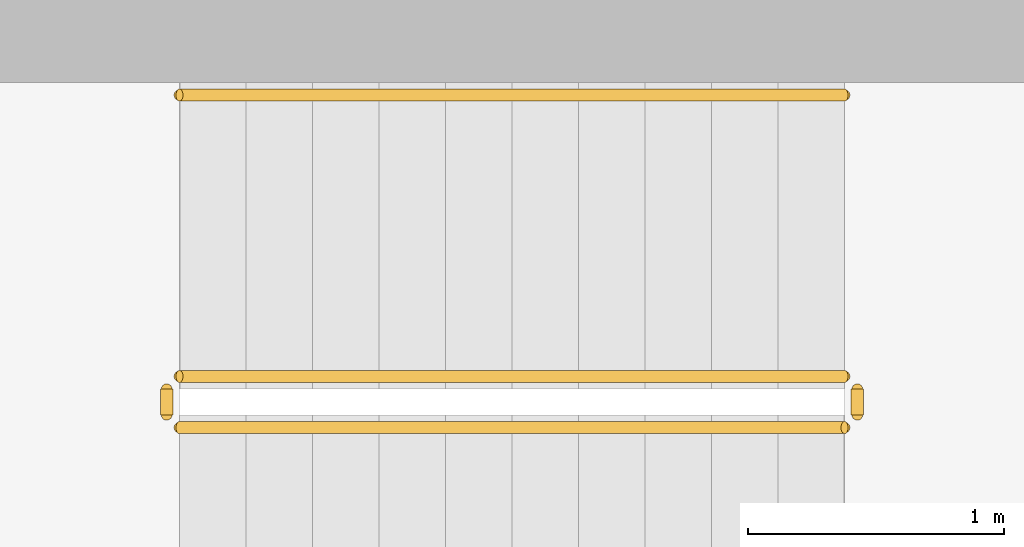
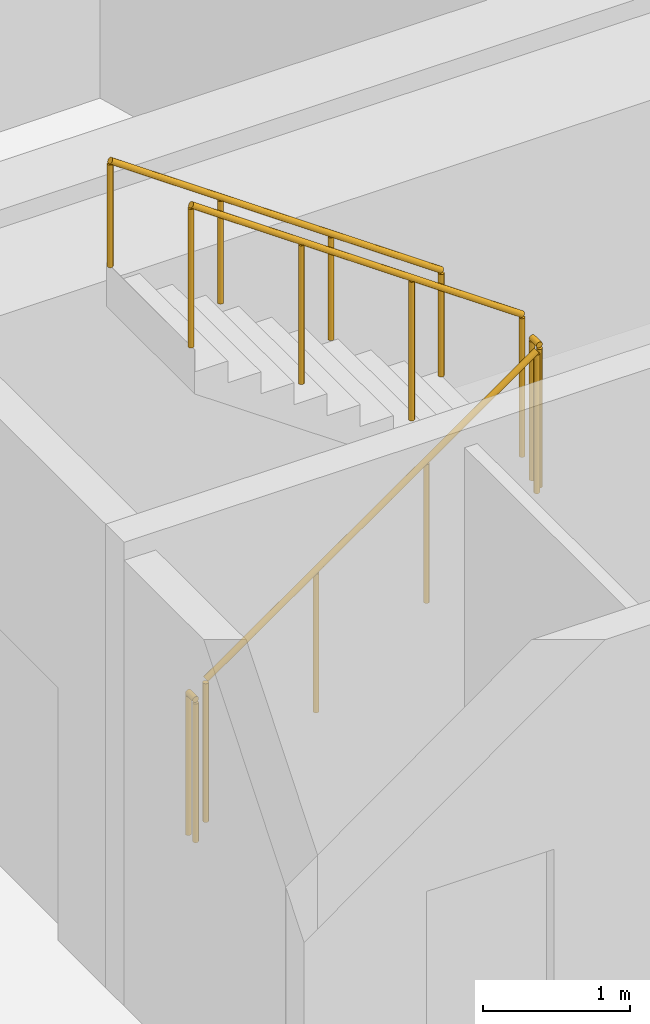
# One storey, part 18 of 22: 5 railings.
"""IFC4 building model written with IfcOpenShell, lengths in metres."""

from ifc_helpers import new_model, si_unit, direction, frame, origin, origin_2d, place, context, subcontext, project, spatial, circle, extrude, material, type_object, element, save


model = new_model("IFC4")

# Units and contexts
model_context = context("Model", 3, precision=1e-05, world=origin(), true_north=direction((0.0, 1.0)))
body_context = subcontext(model_context, "Body", "Model", "MODEL_VIEW")
ifc_project = project(units=[si_unit("LENGTHUNIT", "METRE"), si_unit("AREAUNIT", "SQUARE_METRE"), si_unit("VOLUMEUNIT", "CUBIC_METRE"), si_unit("PLANEANGLEUNIT", "RADIAN"), si_unit("MASSUNIT", "GRAM", prefix="KILO")], contexts=[model_context])

# Site, building, storey
site_placement = place(None, origin())
site = spatial("IfcSite", under=ifc_project, at=site_placement, CompositionType="ELEMENT")
building_placement = place(site_placement, origin())
building = spatial("IfcBuilding", under=site, at=building_placement, Name="Sahrelin Media Tower", CompositionType="ELEMENT")
storey_placement = place(building_placement, frame((0.0, 0.0, 189.60009765625)))
storey = spatial("IfcBuildingStorey", under=building, at=storey_placement, Name="L40", CompositionType="ELEMENT", Elevation=189.60009765625)

# Railings
ifc_material = material(Name="Steel S355", Category="steel")
railing_type_1 = type_object("IfcRailingType", Name="Stair guard 1200", PredefinedType="GUARDRAIL", material=ifc_material)
railing_1_placement = place(storey_placement, frame((-7.675048828125, 5.25, 0.181640625)))
element("IfcRailing", 1, at=railing_1_placement, inside=storey, type_object=railing_type_1, Name="L40 ST1 stair guard 1", PredefinedType="GUARDRAIL", context=body_context, shape_type="SweptSolid", body=[
    extrude(circle(Radius=0.02392578125, at=origin_2d()), frame((0.0, 0.0, 1.17578125), z_axis=(0.819484887739, 0.0, 0.573100792852), x_axis=(0.0, 1.0, 0.0)), (0.0, 0.0, 1.0), 3.1728515625),
    extrude(circle(Radius=0.02099609375, at=origin_2d()), origin(), (0.0, 0.0, 1.0), 1.15185546875),
    extrude(circle(Radius=0.02099609375, at=origin_2d()), frame((0.86669921875, 0.0, 0.606201171875)), (0.0, 0.0, 1.0), 1.15185546875),
    extrude(circle(Radius=0.02099609375, at=origin_2d()), frame((1.7333984375, 0.0, 1.212158203125)), (0.0, 0.0, 1.0), 1.15185546875),
    extrude(circle(Radius=0.02099609375, at=origin_2d()), frame((2.60009765625, 0.0, 1.818359375)), (0.0, 0.0, 1.0), 1.15185546875),
])
railing_2_placement = place(storey_placement, frame((-5.02490234375, 5.300048828125, 2.0)))
element("IfcRailing", 2, at=railing_2_placement, inside=storey, type_object=railing_type_1, Name="L40 ST1 stair guard 2", PredefinedType="GUARDRAIL", context=body_context, shape_type="SweptSolid", body=[
    extrude(circle(Radius=0.02392578125, at=origin_2d()), frame((0.0, 0.0, 1.17578125), z_axis=(0.0, 1.0, 0.0), x_axis=(-1.0, 0.0, 0.0)), (0.0, 0.0, 1.0), 0.099853515625),
    extrude(circle(Radius=0.02099609375, at=origin_2d()), origin(), (0.0, 0.0, 1.0), 1.15185546875),
    extrude(circle(Radius=0.02099609375, at=origin_2d()), frame((0.0, 0.099853515625, 0.0)), (0.0, 0.0, 1.0), 1.15185546875),
])
railing_3_placement = place(storey_placement, frame((-5.074951171875, 5.449951171875, 2.181640625)))
element("IfcRailing", 3, at=railing_3_placement, inside=storey, type_object=railing_type_1, Name="L40 ST1 stair guard 3", PredefinedType="GUARDRAIL", context=body_context, shape_type="SweptSolid", body=[
    extrude(circle(Radius=0.02392578125, at=origin_2d()), frame((0.0, 0.0, 1.17578125), z_axis=(-0.819484887739, 0.0, 0.573100792852), x_axis=(0.0, -1.0, 0.0)), (0.0, 0.0, 1.0), 3.1728515625),
    extrude(circle(Radius=0.02099609375, at=origin_2d()), origin(), (0.0, 0.0, 1.0), 1.15185546875),
    extrude(circle(Radius=0.02099609375, at=origin_2d()), frame((-0.86669921875, 0.0, 0.606201171875)), (0.0, 0.0, 1.0), 1.15185546875),
    extrude(circle(Radius=0.02099609375, at=origin_2d()), frame((-1.7333984375, 0.0, 1.212158203125)), (0.0, 0.0, 1.0), 1.15185546875),
    extrude(circle(Radius=0.02099609375, at=origin_2d()), frame((-2.60009765625, 0.0, 1.818359375)), (0.0, 0.0, 1.0), 1.15185546875),
])
railing_4_placement = place(storey_placement, frame((-7.72509765625, 5.300048828125, 0.0)))
element("IfcRailing", 4, at=railing_4_placement, inside=storey, type_object=railing_type_1, Name="L40 ST1 stair guard 4", PredefinedType="GUARDRAIL", context=body_context, shape_type="SweptSolid", body=[
    extrude(circle(Radius=0.02392578125, at=origin_2d()), frame((0.0, 0.0, 1.17578125), z_axis=(0.0, 1.0, 0.0), x_axis=(-1.0, 0.0, 0.0)), (0.0, 0.0, 1.0), 0.099853515625),
    extrude(circle(Radius=0.02099609375, at=origin_2d()), origin(), (0.0, 0.0, 1.0), 1.15185546875),
    extrude(circle(Radius=0.02099609375, at=origin_2d()), frame((0.0, 0.099853515625, 0.0)), (0.0, 0.0, 1.0), 1.15185546875),
])
railing_type_2 = type_object("IfcRailingType", Name="Stair handrail 900", PredefinedType="HANDRAIL", material=ifc_material)
railing_5_placement = place(storey_placement, frame((-5.074951171875, 6.550048828125, 2.181640625)))
element("IfcRailing", 5, at=railing_5_placement, inside=storey, type_object=railing_type_2, Name="L40 ST1 stair handrail 2", PredefinedType="HANDRAIL", context=body_context, shape_type="SweptSolid", body=[
    extrude(circle(Radius=0.02392578125, at=origin_2d()), frame((0.0, 0.0, 0.8759765625), z_axis=(-0.819484887739, 0.0, 0.573100792852), x_axis=(0.0, -1.0, 0.0)), (0.0, 0.0, 1.0), 3.1728515625),
    extrude(circle(Radius=0.02099609375, at=origin_2d()), origin(), (0.0, 0.0, 1.0), 0.851806640625),
    extrude(circle(Radius=0.02099609375, at=origin_2d()), frame((-0.86669921875, 0.0, 0.606201171875)), (0.0, 0.0, 1.0), 0.851806640625),
    extrude(circle(Radius=0.02099609375, at=origin_2d()), frame((-1.7333984375, 0.0, 1.212158203125)), (0.0, 0.0, 1.0), 0.851806640625),
    extrude(circle(Radius=0.02099609375, at=origin_2d()), frame((-2.60009765625, 0.0, 1.818359375)), (0.0, 0.0, 1.0), 0.851806640625),
])

save(model, "model.ifc")
